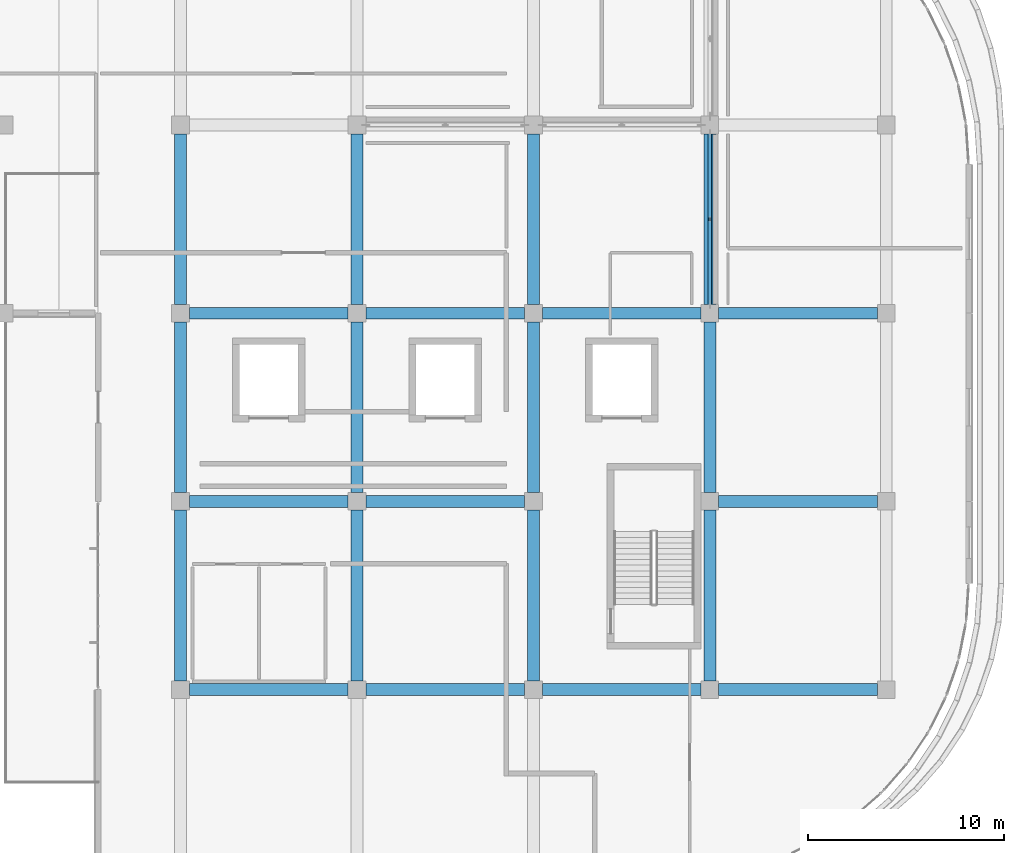
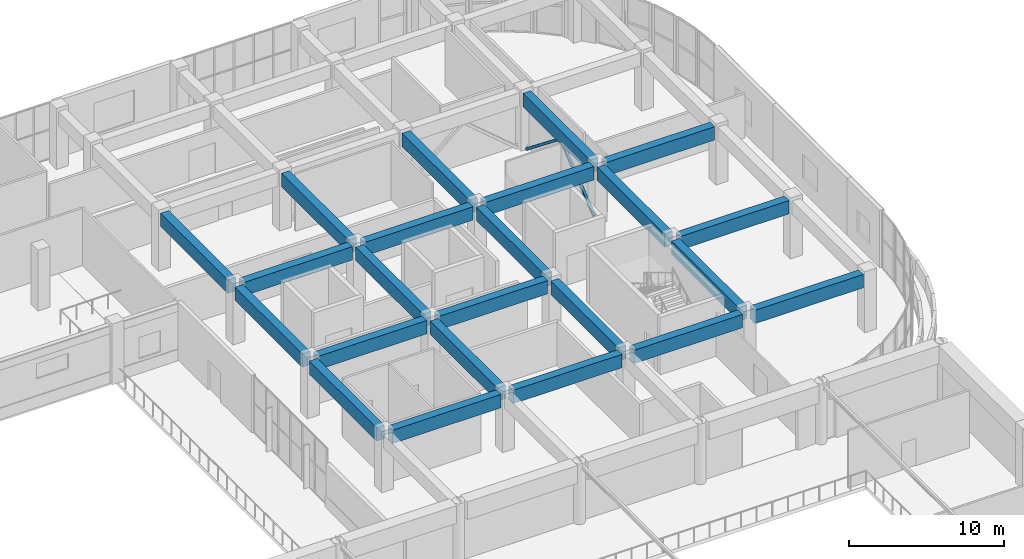
# One storey, part 39 of 96: 23 beams, 2 members.
"""IFC4 building model written with IfcOpenShell, lengths in metres."""

import ifcopenshell
import ifcopenshell.guid

model = None  # the IFC model being written
_history = None  # IfcOwnerHistory: only IFC2X3 demands one
_inside = {}  # id of a spatial element -> (the spatial element, [elements in it])
_under = {}  # id of a project, library or spatial element -> (it, [spatial elements below it])
_declared = {}  # id of a project -> (the project, [libraries it declares])
_typed = {}  # id of a type object -> (the type object, [elements of that type])
_made_of = {}  # id of a material, layer set ... -> (it, [elements and type objects made of it])


def new_model(schema):
    """Start an empty IFC model of exactly this schema.

    Asked for "IFC4X3", IfcOpenShell would pick the latest addendum, in which some entities
    have other attributes; the version numbers below select the first issue.
    IFC2X3 requires an IfcOwnerHistory on every rooted entity: one is made here for all.
    """
    global model, _history
    if schema == "IFC4X3":
        model = ifcopenshell.file(schema_version=(4, 3, 0, 0))
    else:
        model = ifcopenshell.file(schema=schema)
    _inside.clear()
    _under.clear()
    _declared.clear()
    _typed.clear()
    _made_of.clear()
    _history = None
    if model.schema == "IFC2X3":
        org = make("IfcOrganization", Name="unknown")
        user = make(
            "IfcPersonAndOrganization",
            ThePerson=make("IfcPerson", FamilyName="unknown"),
            TheOrganization=org,
        )
        app = make(
            "IfcApplication",
            ApplicationDeveloper=org,
            Version="unknown",
            ApplicationFullName="unknown",
            ApplicationIdentifier="unknown",
        )
        _history = make(
            "IfcOwnerHistory",
            OwningUser=user,
            OwningApplication=app,
            ChangeAction="ADDED",
            CreationDate=0,
        )
    return model


def make(cls, **values):
    """One entity of the class cls with the attributes given. An attribute that is None is left unset."""
    return model.create_entity(
        cls, **{name: value for name, value in values.items() if value is not None}
    )


def rooted(cls, **values):
    """An entity with a GlobalId (a new one), such as an element, a storey or a relation."""
    return make(cls, GlobalId=ifcopenshell.guid.new(), OwnerHistory=_history, **values)


def si_unit(unit_type, name, prefix=None):
    """IfcSIUnit, for example si_unit("LENGTHUNIT", "METRE", prefix="MILLI")."""
    return make("IfcSIUnit", UnitType=unit_type, Prefix=prefix, Name=name)


def assignment(units):
    """IfcUnitAssignment: the units of a project."""
    return None if units is None else make("IfcUnitAssignment", Units=units)


def point(xyz):
    """IfcCartesianPoint."""
    return None if xyz is None else make("IfcCartesianPoint", Coordinates=xyz)


def direction(xyz):
    """IfcDirection."""
    return None if xyz is None else make("IfcDirection", DirectionRatios=xyz)


def frame(location, z_axis=None, x_axis=None):
    """IfcAxis2Placement3D, a coordinate frame: its origin and axes. An axis left out is left unset."""
    return make(
        "IfcAxis2Placement3D",
        Location=point(location),
        Axis=direction(z_axis),
        RefDirection=direction(x_axis),
    )


def frame_2d(location, x_axis=None):
    """IfcAxis2Placement2D, a coordinate frame in the plane: its origin and x axis."""
    return make(
        "IfcAxis2Placement2D", Location=point(location), RefDirection=direction(x_axis)
    )


def origin():
    """The frame at (0, 0, 0) with its axes left unset."""
    return frame((0.0, 0.0, 0.0))


def origin_2d():
    """The frame at (0, 0) in the plane with its x axis left unset."""
    return frame_2d((0.0, 0.0))


def place(relative_to, where):
    """IfcLocalPlacement: puts the frame where relative to a parent placement (None: the world)."""
    return make(
        "IfcLocalPlacement", PlacementRelTo=relative_to, RelativePlacement=where
    )


def context(
    kind, dimensions, precision=None, world=None, true_north=None, identifier=None
):
    """IfcGeometricRepresentationContext, for example the 3D "Model" context."""
    return make(
        "IfcGeometricRepresentationContext",
        ContextIdentifier=identifier,
        ContextType=kind,
        CoordinateSpaceDimension=dimensions,
        Precision=precision,
        WorldCoordinateSystem=world,
        TrueNorth=true_north,
    )


def subcontext(parent, identifier, kind, view, scale=None):
    """IfcGeometricRepresentationSubContext, for example "Body" below "Model"."""
    return make(
        "IfcGeometricRepresentationSubContext",
        ContextIdentifier=identifier,
        ContextType=kind,
        ParentContext=parent,
        TargetScale=scale,
        TargetView=view,
    )


def project(units=None, contexts=None):
    """IfcProject with its units and contexts."""
    return rooted(
        "IfcProject",
        Name="project",
        RepresentationContexts=contexts,
        UnitsInContext=assignment(units),
    )


def spatial(cls, under=None, at=None, **own):
    """A site, building, storey or space (cls), placed at a placement, below another one or the project."""
    s = rooted(cls, ObjectPlacement=at, **own)
    if under is not None:
        _under.setdefault(under.id(), (under, []))[1].append(s)
    return s


def profile(cls, at=None, kind="AREA", **sizes):
    """A parametric profile (cls). Its sizes go by their IFC names, for example OverallWidth=200.0."""
    return make(cls, ProfileType=kind, Position=at, **sizes)


def rectangle(**sizes):
    """IfcRectangleProfileDef."""
    return profile("IfcRectangleProfileDef", **sizes)


def hollow_rectangle(**sizes):
    """IfcRectangleHollowProfileDef."""
    return profile("IfcRectangleHollowProfileDef", **sizes)


def extrude(swept, where, along, depth):
    """IfcExtrudedAreaSolid: the profile swept, set in the frame where, extruded along a direction by depth."""
    return make(
        "IfcExtrudedAreaSolid",
        SweptArea=swept,
        Position=where,
        ExtrudedDirection=direction(along),
        Depth=depth,
    )


def shape(context_of_items, identifier, shape_type, items):
    """IfcShapeRepresentation: the items that make up one representation, for example the "Body"."""
    return make(
        "IfcShapeRepresentation",
        ContextOfItems=context_of_items,
        RepresentationIdentifier=identifier,
        RepresentationType=shape_type,
        Items=items,
    )


def material(Name=None, Category=None):
    """IfcMaterial."""
    return make("IfcMaterial", Name=Name, Category=Category)


def material_profile(
    of_material, cross_section, Name=None, Category=None, Priority=None
):
    """IfcMaterialProfile: a cross section and its material."""
    return make(
        "IfcMaterialProfile",
        Name=Name,
        Material=of_material,
        Profile=cross_section,
        Priority=Priority,
        Category=Category,
    )


def profile_set(profiles, Name=None, composite=None):
    """IfcMaterialProfileSet."""
    return make(
        "IfcMaterialProfileSet",
        Name=Name,
        MaterialProfiles=profiles,
        CompositeProfile=composite,
    )


def made_of(thing, what):
    """Note that an element or type object is made of a material, layer set ...; save() writes the relation."""
    if what is not None:
        _made_of.setdefault(what.id(), (what, []))[1].append(thing)
    return thing


def type_object(cls, material=None, **own):
    """A type object (cls), such as IfcWallType, which elements share."""
    return made_of(rooted(cls, **own), material)


def element(
    cls,
    number,
    at=None,
    inside=None,
    cuts=None,
    type_object=None,
    material=None,
    context=None,
    identifier="Body",
    shape_type=None,
    held_by="IfcProductDefinitionShape",
    body=None,
    shapes=None,
    **own,
):
    """One element of the class cls, such as IfcWall. Its Tag is "e" and its number.

    at: its placement. inside: the storey or other place that contains it. cuts: it is an
    opening in that element (IfcRelVoidsElement). A single representation is given by context,
    identifier, shape_type and body (its items); several are given by shapes. held_by: the class
    of the entity that holds the representations. save() writes the other relations.
    """
    e = rooted(cls, Tag="e%d" % number, ObjectPlacement=at, **own)
    if body is not None:
        shapes = [shape(context, identifier, shape_type, body)]
    if shapes is not None:
        e.Representation = make(held_by, Representations=shapes)
    if inside is not None:
        _inside.setdefault(inside.id(), (inside, []))[1].append(e)
    if cuts is not None:
        rooted(
            "IfcRelVoidsElement", RelatingBuildingElement=cuts, RelatedOpeningElement=e
        )
    if type_object is not None:
        _typed.setdefault(type_object.id(), (type_object, []))[1].append(e)
    return made_of(e, material)


def aggregate(whole, parts):
    """IfcRelAggregates: a whole, such as a stair, and the parts it consists of."""
    return rooted("IfcRelAggregates", RelatingObject=whole, RelatedObjects=parts)


def save(model, path):
    """Write the relations noted so far, then the file.

    IfcRelAggregates (storeys below a building ...), IfcRelContainedInSpatialStructure (elements
    in a storey), IfcRelDefinesByType, IfcRelAssociatesMaterial and IfcRelDeclares: one each for
    every whole, place, type object, material and project.
    """
    for whole, parts in _under.values():
        aggregate(whole, parts)
    for where, things in _inside.values():
        rooted(
            "IfcRelContainedInSpatialStructure",
            RelatedElements=things,
            RelatingStructure=where,
        )
    for kind, things in _typed.values():
        rooted("IfcRelDefinesByType", RelatedObjects=things, RelatingType=kind)
    for what, things in _made_of.values():
        rooted("IfcRelAssociatesMaterial", RelatedObjects=things, RelatingMaterial=what)
    for by, libraries in _declared.values():
        rooted("IfcRelDeclares", RelatingContext=by, RelatedDefinitions=libraries)
    model.write(path)


model = new_model("IFC4")

# Units and contexts
model_context = context("Model", 3, precision=1e-05, world=origin(), true_north=direction((0.0, 1.0)))
body_context = subcontext(model_context, "Body", "Model", "MODEL_VIEW")
ifc_project = project(units=[si_unit("LENGTHUNIT", "METRE"), si_unit("AREAUNIT", "SQUARE_METRE"), si_unit("VOLUMEUNIT", "CUBIC_METRE"), si_unit("PLANEANGLEUNIT", "RADIAN"), si_unit("MASSUNIT", "GRAM", prefix="KILO")], contexts=[model_context])

# Site, building, storey
site_placement = place(None, origin())
site = spatial("IfcSite", under=ifc_project, at=site_placement, CompositionType="ELEMENT")
building_placement = place(site_placement, origin())
building = spatial("IfcBuilding", under=site, at=building_placement, Name="Cendralis Terraced Arcade", CompositionType="ELEMENT")
storey_placement = place(building_placement, frame((0.0, 0.0, 10.199951171875)))
storey = spatial("IfcBuildingStorey", under=building, at=storey_placement, Name="L02", CompositionType="ELEMENT", Elevation=10.199951171875)

# Beams
ifc_material_1 = material(Name="Concrete f'c 35 MPa", Category="concrete")
ifc_material_profile_1 = material_profile(ifc_material_1, rectangle(XDim=0.60009765625, YDim=1.050048828125, at=origin_2d()), Name="RC-BM-600x1050", Category="LoadBearing")
ifc_profile_set_1 = profile_set([ifc_material_profile_1], Name="Concrete f'c 35 MPa")
beam_type = type_object("IfcBeamType", Name="BM-600x1050", PredefinedType="JOIST", material=ifc_profile_set_1)
for number, where, z_axis, x_axis, name in (
    (1, (130.64990234375, 69.60009765625, 3.989990234375), (1.0, 0.0, 0.0), (0.0, 1.0, 0.0), "Reinforced Concrete Frame Beam BM-X-L03-H-15_16"),
    (2, (139.64990234375, 69.60009765625, 3.989990234375), (1.0, 0.0, 0.0), (0.0, 1.0, 0.0), "Reinforced Concrete Frame Beam BM-X-L03-H-16_17"),
    (3, (148.64990234375, 69.60009765625, 3.989990234375), (1.0, 0.0, 0.0), (0.0, 1.0, 0.0), "Reinforced Concrete Frame Beam BM-X-L03-H-17_18"),
    (4, (157.64990234375, 69.60009765625, 3.989990234375), (1.0, 0.0, 0.0), (0.0, 1.0, 0.0), "Reinforced Concrete Frame Beam BM-X-L03-H-18_19"),
    (5, (130.64990234375, 79.199951171875, 3.989990234375), (1.0, 0.0, 0.0), (0.0, 1.0, 0.0), "Reinforced Concrete Frame Beam BM-X-L03-J-15_16"),
    (6, (139.64990234375, 79.199951171875, 3.989990234375), (1.0, 0.0, 0.0), (0.0, 1.0, 0.0), "Reinforced Concrete Frame Beam BM-X-L03-J-16_17"),
    (7, (157.64990234375, 79.199951171875, 3.989990234375), (1.0, 0.0, 0.0), (0.0, 1.0, 0.0), "Reinforced Concrete Frame Beam BM-X-L03-J-18_19"),
    (8, (130.64990234375, 88.800048828125, 3.989990234375), (1.0, 0.0, 0.0), (0.0, 1.0, 0.0), "Reinforced Concrete Frame Beam BM-X-L03-K-15_16"),
    (9, (139.64990234375, 88.800048828125, 3.989990234375), (1.0, 0.0, 0.0), (0.0, 1.0, 0.0), "Reinforced Concrete Frame Beam BM-X-L03-K-16_17"),
    (10, (148.64990234375, 88.800048828125, 3.989990234375), (1.0, 0.0, 0.0), (0.0, 1.0, 0.0), "Reinforced Concrete Frame Beam BM-X-L03-K-17_18"),
    (11, (157.64990234375, 88.800048828125, 3.989990234375), (1.0, 0.0, 0.0), (0.0, 1.0, 0.0), "Reinforced Concrete Frame Beam BM-X-L03-K-18_19"),
):
    element("IfcBeam", number, at=place(storey_placement, frame(where, z_axis=z_axis, x_axis=x_axis)), inside=storey, type_object=beam_type, Name=name, PredefinedType="JOIST", context=body_context, shape_type="SweptSolid", body=[
        extrude(rectangle(XDim=0.60009765625, YDim=1.050048828125, at=origin_2d()), origin(), (0.0, 0.0, 1.0), 8.10009765625),
    ])
beam_1_placement = place(storey_placement, frame((130.199951171875, 70.050048828125, 3.989990234375), z_axis=(0.0, 1.0, 0.0), x_axis=(-1.0, 0.0, 0.0)))
element("IfcBeam", 12, at=beam_1_placement, inside=storey, type_object=beam_type, Name="Reinforced Concrete Frame Beam BM-Y-L03-15-H_J", PredefinedType="JOIST", context=body_context, shape_type="SweptSolid", body=[
    extrude(rectangle(XDim=0.60009765625, YDim=1.050048828125, at=origin_2d()), origin(), (0.0, 0.0, 1.0), 8.699951171875),
])
beam_2_placement = place(storey_placement, frame((130.199951171875, 79.64990234375, 3.989990234375), z_axis=(0.0, 1.0, 0.0), x_axis=(-1.0, 0.0, 0.0)))
element("IfcBeam", 13, at=beam_2_placement, inside=storey, type_object=beam_type, Name="Reinforced Concrete Frame Beam BM-Y-L03-15-J_K", PredefinedType="JOIST", context=body_context, shape_type="SweptSolid", body=[
    extrude(rectangle(XDim=0.60009765625, YDim=1.050048828125, at=origin_2d()), origin(), (0.0, 0.0, 1.0), 8.7001953125),
])
for number, where, z_axis, x_axis, name in (
    (14, (130.199951171875, 89.25, 3.989990234375), (0.0, 1.0, 0.0), (-1.0, 0.0, 0.0), "Reinforced Concrete Frame Beam BM-Y-L03-15-K_L"),
    (15, (139.199951171875, 70.050048828125, 3.989990234375), (0.0, 1.0, 0.0), (-1.0, 0.0, 0.0), "Reinforced Concrete Frame Beam BM-Y-L03-16-H_J"),
):
    element("IfcBeam", number, at=place(storey_placement, frame(where, z_axis=z_axis, x_axis=x_axis)), inside=storey, type_object=beam_type, Name=name, PredefinedType="JOIST", context=body_context, shape_type="SweptSolid", body=[
        extrude(rectangle(XDim=0.60009765625, YDim=1.050048828125, at=origin_2d()), origin(), (0.0, 0.0, 1.0), 8.699951171875),
    ])
beam_3_placement = place(storey_placement, frame((139.199951171875, 79.64990234375, 3.989990234375), z_axis=(0.0, 1.0, 0.0), x_axis=(-1.0, 0.0, 0.0)))
element("IfcBeam", 16, at=beam_3_placement, inside=storey, type_object=beam_type, Name="Reinforced Concrete Frame Beam BM-Y-L03-16-J_K", PredefinedType="JOIST", context=body_context, shape_type="SweptSolid", body=[
    extrude(rectangle(XDim=0.60009765625, YDim=1.050048828125, at=origin_2d()), origin(), (0.0, 0.0, 1.0), 8.7001953125),
])
for number, where, z_axis, x_axis, name in (
    (17, (139.199951171875, 89.25, 3.989990234375), (0.0, 1.0, 0.0), (-1.0, 0.0, 0.0), "Reinforced Concrete Frame Beam BM-Y-L03-16-K_L"),
    (18, (148.199951171875, 70.050048828125, 3.989990234375), (0.0, 1.0, 0.0), (-1.0, 0.0, 0.0), "Reinforced Concrete Frame Beam BM-Y-L03-17-H_J"),
):
    element("IfcBeam", number, at=place(storey_placement, frame(where, z_axis=z_axis, x_axis=x_axis)), inside=storey, type_object=beam_type, Name=name, PredefinedType="JOIST", context=body_context, shape_type="SweptSolid", body=[
        extrude(rectangle(XDim=0.60009765625, YDim=1.050048828125, at=origin_2d()), origin(), (0.0, 0.0, 1.0), 8.699951171875),
    ])
beam_4_placement = place(storey_placement, frame((148.199951171875, 79.64990234375, 3.989990234375), z_axis=(0.0, 1.0, 0.0), x_axis=(-1.0, 0.0, 0.0)))
element("IfcBeam", 19, at=beam_4_placement, inside=storey, type_object=beam_type, Name="Reinforced Concrete Frame Beam BM-Y-L03-17-J_K", PredefinedType="JOIST", context=body_context, shape_type="SweptSolid", body=[
    extrude(rectangle(XDim=0.60009765625, YDim=1.050048828125, at=origin_2d()), origin(), (0.0, 0.0, 1.0), 8.7001953125),
])
for number, where, z_axis, x_axis, name in (
    (20, (148.199951171875, 89.25, 3.989990234375), (0.0, 1.0, 0.0), (-1.0, 0.0, 0.0), "Reinforced Concrete Frame Beam BM-Y-L03-17-K_L"),
    (21, (157.199951171875, 70.050048828125, 3.989990234375), (0.0, 1.0, 0.0), (-1.0, 0.0, 0.0), "Reinforced Concrete Frame Beam BM-Y-L03-18-H_J"),
):
    element("IfcBeam", number, at=place(storey_placement, frame(where, z_axis=z_axis, x_axis=x_axis)), inside=storey, type_object=beam_type, Name=name, PredefinedType="JOIST", context=body_context, shape_type="SweptSolid", body=[
        extrude(rectangle(XDim=0.60009765625, YDim=1.050048828125, at=origin_2d()), origin(), (0.0, 0.0, 1.0), 8.699951171875),
    ])
beam_5_placement = place(storey_placement, frame((157.199951171875, 79.64990234375, 3.989990234375), z_axis=(0.0, 1.0, 0.0), x_axis=(-1.0, 0.0, 0.0)))
element("IfcBeam", 22, at=beam_5_placement, inside=storey, type_object=beam_type, Name="Reinforced Concrete Frame Beam BM-Y-L03-18-J_K", PredefinedType="JOIST", context=body_context, shape_type="SweptSolid", body=[
    extrude(rectangle(XDim=0.60009765625, YDim=1.050048828125, at=origin_2d()), origin(), (0.0, 0.0, 1.0), 8.7001953125),
])
beam_6_placement = place(storey_placement, frame((157.199951171875, 89.25, 3.989990234375), z_axis=(0.0, 1.0, 0.0), x_axis=(-1.0, 0.0, 0.0)))
element("IfcBeam", 23, at=beam_6_placement, inside=storey, type_object=beam_type, Name="Reinforced Concrete Frame Beam BM-Y-L03-18-K_L", PredefinedType="JOIST", context=body_context, shape_type="SweptSolid", body=[
    extrude(rectangle(XDim=0.60009765625, YDim=1.050048828125, at=origin_2d()), origin(), (0.0, 0.0, 1.0), 8.699951171875),
])

# Members
ifc_material_2 = material(Name="Steel ASTM A572 Grade 50", Category="steel")
ifc_material_profile_2 = material_profile(ifc_material_2, hollow_rectangle(XDim=0.199951171875, YDim=0.199951171875, WallThickness=0.010009765625, InnerFilletRadius=0.010009765625, OuterFilletRadius=0.02001953125, at=origin_2d()), Name="HSS200X200X10", Category="LoadBearing")
ifc_profile_set_2 = profile_set([ifc_material_profile_2], Name="Steel ASTM A572 Grade 50")
member_type = type_object("IfcMemberType", Name="MEM-BRC-HSS200", PredefinedType="BRACE", material=ifc_profile_set_2)
member_1_placement = place(storey_placement, frame((157.199951171875, 89.25, 0.02001953125), z_axis=(0.0, 0.783936970528, 0.620840419302), x_axis=(-1.0, 0.0, 0.0)))
element("IfcMember", 24, at=member_1_placement, inside=storey, type_object=member_type, Name="Chevron Steel Lateral Frame Brace BRC-L02-021", PredefinedType="BRACE", context=body_context, shape_type="SweptSolid", body=[
    extrude(hollow_rectangle(XDim=0.199951171875, YDim=0.199951171875, WallThickness=0.010009765625, InnerFilletRadius=0.010009765625, OuterFilletRadius=0.02001953125, at=origin_2d()), origin(), (0.0, 0.0, 1.0), 5.549072265625),
])
member_2_placement = place(storey_placement, frame((157.199951171875, 97.949951171875, 0.02001953125), z_axis=(0.0, -0.783920011357, 0.620861833095), x_axis=(1.0, 0.0, 0.0)))
element("IfcMember", 25, at=member_2_placement, inside=storey, type_object=member_type, Name="Chevron Steel Lateral Frame Brace BRC-L02-022", PredefinedType="BRACE", context=body_context, shape_type="SweptSolid", body=[
    extrude(hollow_rectangle(XDim=0.199951171875, YDim=0.199951171875, WallThickness=0.010009765625, InnerFilletRadius=0.010009765625, OuterFilletRadius=0.02001953125, at=origin_2d()), origin(), (0.0, 0.0, 1.0), 5.548828125),
])

save(model, "model.ifc")
